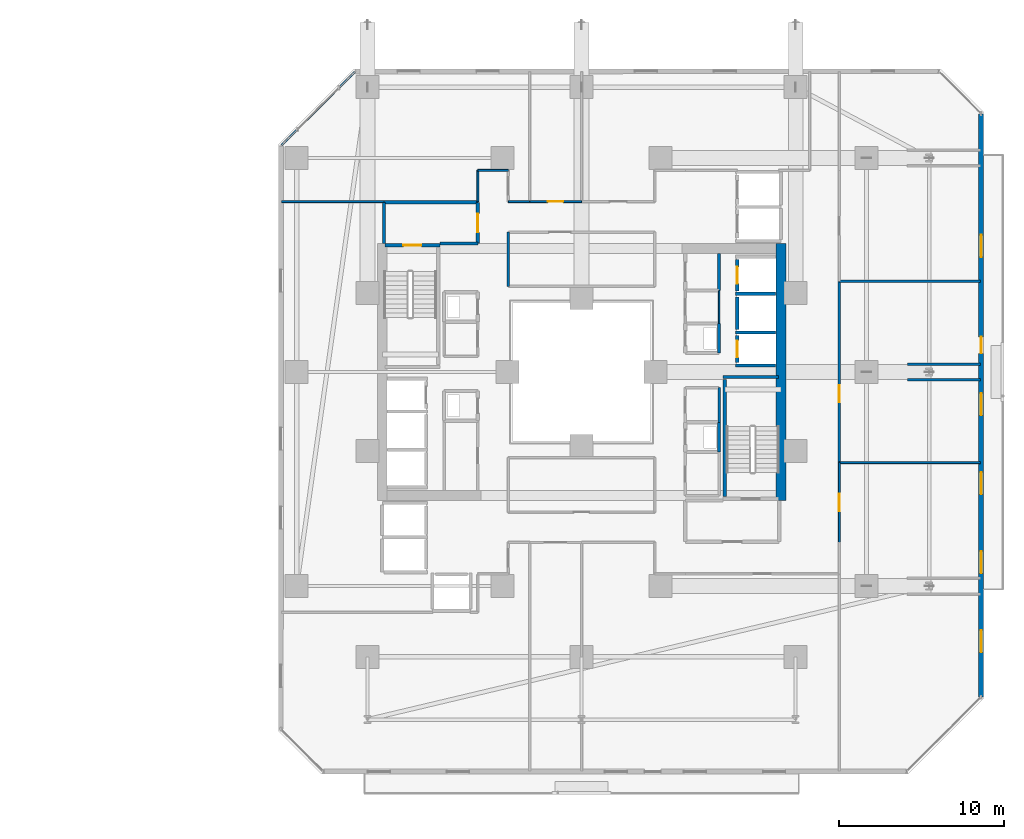
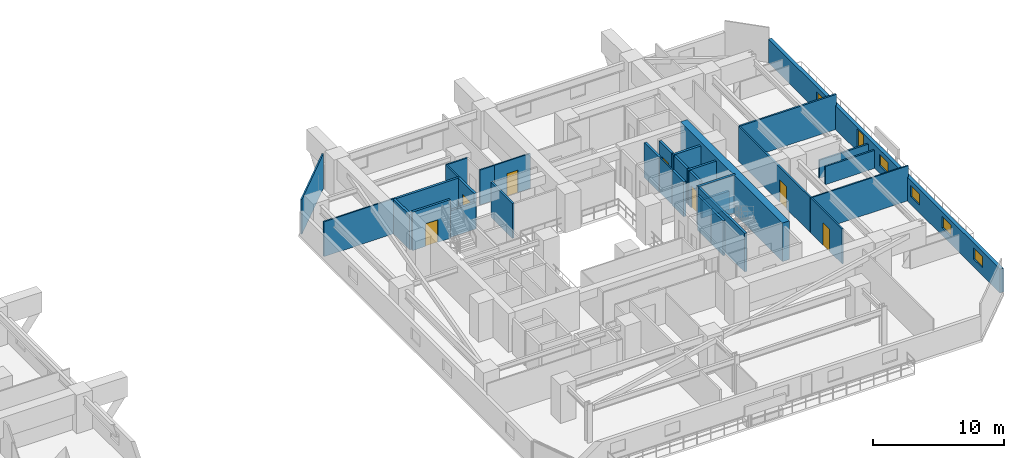
# One storey, part 27 of 36: 33 walls, 8 doors, 5 windows, 13 openings.
"""IFC4 building model written with IfcOpenShell, lengths in metres."""

from ifc_helpers import new_model, si_unit, direction, frame, frame_2d, origin, place, context, subcontext, project, spatial, rectangle, extrude, material, layer, layer_set, type_object, element, fill, save


model = new_model("IFC4")

# Units and contexts
model_context = context("Model", 3, precision=1e-05, world=origin(), true_north=direction((0.0, 1.0)))
body_context = subcontext(model_context, "Body", "Model", "MODEL_VIEW")
ifc_project = project(units=[si_unit("LENGTHUNIT", "METRE"), si_unit("AREAUNIT", "SQUARE_METRE"), si_unit("VOLUMEUNIT", "CUBIC_METRE"), si_unit("PLANEANGLEUNIT", "RADIAN"), si_unit("MASSUNIT", "GRAM", prefix="KILO")], contexts=[model_context])

# Site, building, storey
site_placement = place(None, origin())
site = spatial("IfcSite", under=ifc_project, at=site_placement, CompositionType="ELEMENT")
building_placement = place(site_placement, origin())
building = spatial("IfcBuilding", under=site, at=building_placement, Name="Thornwick Lancets Civic Towers", CompositionType="ELEMENT")
storey_placement = place(building_placement, frame((0.0, 0.0, 45.89990234375)))
storey = spatial("IfcBuildingStorey", under=building, at=storey_placement, Name="L11", CompositionType="ELEMENT", Elevation=45.89990234375)

# Wall, opening, door
ifc_material_1 = material(Name="Concrete blockwork C40/50", Category="masonry")
ifc_layer_1 = layer(ifc_material_1, 0.199951171875, Name="Concrete blockwork C40/50")
ifc_layer_set_1 = layer_set([ifc_layer_1], Name="Concrete blockwork C40/50")
wall_type_1 = type_object("IfcWallType", Name="WALL_COMP_200", PredefinedType="STANDARD", material=ifc_layer_set_1)
wall_1_placement = place(storey_placement, frame((97.949951171875, 29.219970703125, 0.0), z_axis=(0.0, 0.0, 1.0), x_axis=(0.0, -1.0, 0.0)))
wall_1 = element("IfcWall", 1, at=wall_1_placement, inside=storey, type_object=wall_type_1, Name="L11 Hoistway Front Wall FL-B1", PredefinedType="STANDARD", context=body_context, shape_type="SweptSolid", body=[
    extrude(rectangle(XDim=1.639892578125, YDim=0.199951171875, at=frame_2d((0.81982421875, 0.0))), origin(), (0.0, 0.0, 1.0), 3.260009765625),
])
opening_1_placement = place(wall_1_placement, frame((0.31005859375, 0.0, 0.0)))
opening_1 = element("IfcOpeningElement", 2, at=opening_1_placement, cuts=wall_1, Name="Opening LD-FL-B1", PredefinedType="OPENING", context=body_context, shape_type="SweptSolid", body=[
    extrude(rectangle(XDim=1.02001953125, YDim=2.06005859375, at=frame_2d((0.510009765625, 1.030029296875))), frame((0.0, 0.10986328125, 0.0), z_axis=(0.0, -1.0, 0.0), x_axis=(1.0, 0.0, 0.0)), (0.0, 0.0, 1.0), 0.219970703125),
])
ifc_material_2 = material(Name="Brushed bronze stainless steel", Category="steel")
door_type_1 = type_object("IfcDoorType", Name="DOOR_LIFT_SLIDE", OperationType="SLIDING_TO_LEFT", PredefinedType="DOOR", material=ifc_material_2)
door_1_placement = place(opening_1_placement, origin())
door_1 = element("IfcDoor", 3, at=door_1_placement, inside=storey, type_object=door_type_1, Name="L11 Sliding Lift Landing Door LD-FL-B1", OperationType="SLIDING_TO_LEFT", OverallHeight=2.06005859375, OverallWidth=1.02001953125, PredefinedType="DOOR", context=body_context, shape_type="SweptSolid", body=[
    extrude(rectangle(XDim=1.02001953125, YDim=2.06005859375, at=frame_2d((0.510009765625, 1.030029296875))), frame((0.0, 0.02490234375, 0.0), z_axis=(0.0, -1.0, 0.0), x_axis=(1.0, 0.0, 0.0)), (0.0, 0.0, 1.0), 0.050048828125),
])
fill(opening_1, door_1)

# Wall
wall_2_placement = place(storey_placement, frame((97.949951171875, 31.570068359375, 0.0), z_axis=(0.0, 0.0, 1.0), x_axis=(0.0, -1.0, 0.0)))
element("IfcWall", 4, at=wall_2_placement, inside=storey, type_object=wall_type_1, Name="L11 Hoistway Front Wall PL-BH1", PredefinedType="STANDARD", context=body_context, shape_type="SweptSolid", body=[
    extrude(rectangle(XDim=1.989990234375, YDim=0.199951171875, at=frame_2d((0.9951171875, 0.0))), origin(), (0.0, 0.0, 1.0), 3.260009765625),
])

# Wall, opening, door
wall_3_placement = place(storey_placement, frame((97.949951171875, 33.820068359375, 0.0), z_axis=(0.0, 0.0, 1.0), x_axis=(0.0, -1.0, 0.0)))
wall_3 = element("IfcWall", 5, at=wall_3_placement, inside=storey, type_object=wall_type_1, Name="L11 Hoistway Front Wall PL-BL1", PredefinedType="STANDARD", context=body_context, shape_type="SweptSolid", body=[
    extrude(rectangle(XDim=1.89013671875, YDim=0.199951171875, at=frame_2d((0.945068359375, 0.0))), origin(), (0.0, 0.0, 1.0), 3.260009765625),
])
opening_2_placement = place(wall_3_placement, frame((0.43505859375, 0.0, 0.0)))
opening_2 = element("IfcOpeningElement", 6, at=opening_2_placement, cuts=wall_3, Name="Opening LD-PL-BL1", PredefinedType="OPENING", context=body_context, shape_type="SweptSolid", body=[
    extrude(rectangle(XDim=1.02001953125, YDim=2.06005859375, at=frame_2d((0.510009765625, 1.030029296875))), frame((0.0, 0.10986328125, 0.0), z_axis=(0.0, -1.0, 0.0), x_axis=(1.0, 0.0, 0.0)), (0.0, 0.0, 1.0), 0.219970703125),
])
door_2_placement = place(opening_2_placement, origin())
door_2 = element("IfcDoor", 7, at=door_2_placement, inside=storey, type_object=door_type_1, Name="L11 Sliding Lift Landing Door LD-PL-BL1", OperationType="SLIDING_TO_LEFT", OverallHeight=2.06005859375, OverallWidth=1.02001953125, PredefinedType="DOOR", context=body_context, shape_type="SweptSolid", body=[
    extrude(rectangle(XDim=1.02001953125, YDim=2.06005859375, at=frame_2d((0.510009765625, 1.030029296875))), frame((0.0, 0.02490234375, 0.0), z_axis=(0.0, -1.0, 0.0), x_axis=(1.0, 0.0, 0.0)), (0.0, 0.0, 1.0), 0.050048828125),
])
fill(opening_2, door_2)

# Walls
wall_4_placement = place(storey_placement, frame((97.85205078125, 29.39990234375, 0.0), z_axis=(0.0, 0.0, 1.0), x_axis=(1.0, 0.0, 0.0)))
element("IfcWall", 8, at=wall_4_placement, inside=storey, type_object=wall_type_1, Name="L11 Hoistway Shaft Wall FL-B1 N", PredefinedType="STANDARD", context=body_context, shape_type="SweptSolid", body=[
    extrude(rectangle(XDim=2.43603515625, YDim=0.199951171875, at=frame_2d((1.218017578125, 0.0))), origin(), (0.0, 0.0, 1.0), 3.260009765625),
])
wall_5_placement = place(storey_placement, frame((97.85205078125, 27.39990234375, 0.0), z_axis=(0.0, 0.0, 1.0), x_axis=(1.0, 0.0, 0.0)))
element("IfcWall", 9, at=wall_5_placement, inside=storey, type_object=wall_type_1, Name="L11 Hoistway Shaft Wall FL-B1 S", PredefinedType="STANDARD", context=body_context, shape_type="SweptSolid", body=[
    extrude(rectangle(XDim=2.43603515625, YDim=0.199951171875, at=frame_2d((1.218017578125, 0.0))), origin(), (0.0, 0.0, 1.0), 1.68505859375),
])
wall_6_placement = place(storey_placement, frame((97.85205078125, 31.75, 0.0), z_axis=(0.0, 0.0, 1.0), x_axis=(1.0, 0.0, 0.0)))
element("IfcWall", 10, at=wall_6_placement, inside=storey, type_object=wall_type_1, Name="L11 Hoistway Shaft Wall PL-BH1 N", PredefinedType="STANDARD", context=body_context, shape_type="SweptSolid", body=[
    extrude(rectangle(XDim=2.43603515625, YDim=0.199951171875, at=frame_2d((1.218017578125, 0.0))), origin(), (0.0, 0.0, 1.0), 3.260009765625),
])
wall_7_placement = place(storey_placement, frame((79.89990234375, 34.800048828125, 0.0), z_axis=(0.0, 0.0, 1.0), x_axis=(1.0, 0.0, 0.0)))
element("IfcWall", 11, at=wall_7_placement, inside=storey, type_object=wall_type_1, Name="L11 Partition L11-B-FFLOB2 E1", PredefinedType="STANDARD", context=body_context, shape_type="SweptSolid", body=[
    extrude(rectangle(XDim=2.300048828125, YDim=0.199951171875, at=frame_2d((1.14990234375, 0.0))), origin(), (0.0, 0.0, 1.0), 2.465087890625),
])

# Wall, opening, door
wall_8_placement = place(storey_placement, frame((82.199951171875, 34.800048828125, 0.0), z_axis=(0.0, 0.0, 1.0), x_axis=(0.0, 1.0, 0.0)))
wall_8 = element("IfcWall", 12, at=wall_8_placement, inside=storey, type_object=wall_type_1, Name="L11 Partition L11-B-FFLOB2 E2", PredefinedType="STANDARD", context=body_context, shape_type="SweptSolid", body=[
    extrude(rectangle(XDim=2.5, YDim=0.199951171875, at=frame_2d((1.25, 0.0))), origin(), (0.0, 0.0, 1.0), 3.260009765625),
])
opening_3_placement = place(wall_8_placement, frame((0.675048828125, 0.0, 0.0)))
opening_3 = element("IfcOpeningElement", 13, at=opening_3_placement, cuts=wall_8, Name="Opening D-L11-0550", PredefinedType="OPENING", context=body_context, shape_type="SweptSolid", body=[
    extrude(rectangle(XDim=1.14990234375, YDim=2.10009765625, at=frame_2d((0.574951171875, 1.050048828125))), frame((0.0, 0.10986328125, 0.0), z_axis=(0.0, -1.0, 0.0), x_axis=(1.0, 0.0, 0.0)), (0.0, 0.0, 1.0), 0.219970703125),
])
ifc_material_3 = material(Name="Glazed fire-resisting steel", Category="steel")
door_type_2 = type_object("IfcDoorType", Name="DOOR_LOBBY_FD60", OperationType="NOTDEFINED", PredefinedType="DOOR", material=ifc_material_3)
door_3_placement = place(opening_3_placement, origin())
door_3 = element("IfcDoor", 14, at=door_3_placement, inside=storey, type_object=door_type_2, Name="L11 West Firefighting Lobby 2 Door", OperationType="SINGLE_SWING_LEFT", OverallHeight=2.10009765625, OverallWidth=1.14990234375, PredefinedType="DOOR", context=body_context, shape_type="SweptSolid", body=[
    extrude(rectangle(XDim=1.14990234375, YDim=2.10009765625, at=frame_2d((0.574951171875, 1.050048828125))), frame((0.0, 0.02490234375, 0.0), z_axis=(0.0, -1.0, 0.0), x_axis=(1.0, 0.0, 0.0)), (0.0, 0.0, 1.0), 0.050048828125),
])
fill(opening_3, door_3)

# Walls
wall_9_placement = place(storey_placement, frame((82.199951171875, 37.300048828125, 0.0), z_axis=(0.0, 0.0, 1.0), x_axis=(-1.0, 0.0, 0.0)))
element("IfcWall", 15, at=wall_9_placement, inside=storey, type_object=wall_type_1, Name="L11 Partition L11-B-FFLOB2 E3", PredefinedType="STANDARD", context=body_context, shape_type="SweptSolid", body=[
    extrude(rectangle(XDim=5.699951171875, YDim=0.199951171875, at=frame_2d((2.85009765625, 0.0))), origin(), (0.0, 0.0, 1.0), 3.260009765625),
])
wall_10_placement = place(storey_placement, frame((76.5, 37.300048828125, 0.0), z_axis=(0.0, 0.0, 1.0), x_axis=(0.0, -1.0, 0.0)))
element("IfcWall", 16, at=wall_10_placement, inside=storey, type_object=wall_type_1, Name="L11 Partition L11-B-FFLOB2 E4", PredefinedType="STANDARD", context=body_context, shape_type="SweptSolid", body=[
    extrude(rectangle(XDim=2.5, YDim=0.199951171875, at=frame_2d((1.25, 0.0))), origin(), (0.0, 0.0, 1.0), 3.260009765625),
])
for number, where, z_axis, x_axis, name in (
    (17, (96.85009765625, 28.14990234375, 0.0), (0.0, 0.0, 1.0), (0.0, 1.0, 0.0), "L11 Partition L11-B-DUCT1 E2"),
    (18, (96.85009765625, 22.14990234375, 0.0), (0.0, 0.0, 1.0), (0.0, 1.0, 0.0), "L11 Partition L11-B-RISER1 E2"),
):
    element("IfcWall", number, at=place(storey_placement, frame(where, z_axis=z_axis, x_axis=x_axis)), inside=storey, type_object=wall_type_1, Name=name, PredefinedType="STANDARD", context=body_context, shape_type="SweptSolid", body=[
        extrude(rectangle(XDim=1.800048828125, YDim=0.199951171875, at=frame_2d((0.89990234375, 0.0))), origin(), (0.0, 0.0, 1.0), 3.260009765625),
    ])
wall_11_placement = place(storey_placement, frame((96.85009765625, 34.199951171875, 0.0), z_axis=(0.0, 0.0, 1.0), x_axis=(0.0, -1.0, 0.0)))
element("IfcWall", 19, at=wall_11_placement, inside=storey, type_object=wall_type_1, Name="L11 Partition L11-B-ITR2 E3", PredefinedType="STANDARD", context=body_context, shape_type="SweptSolid", body=[
    extrude(rectangle(XDim=2.25, YDim=0.199951171875, at=frame_2d((1.125, 0.0))), origin(), (0.0, 0.0, 1.0), 3.260009765625),
])
ifc_material_4 = material(Name="Concrete C60/75", Category="concrete")
ifc_layer_2 = layer(ifc_material_4, 0.60009765625, Name="Concrete C60/75")
ifc_layer_set_2 = layer_set([ifc_layer_2], Name="Concrete C60/75")
wall_type_2 = type_object("IfcWallType", Name="WALL_CORE_600", PredefinedType="SHEAR", material=ifc_layer_set_2)
wall_12_placement = place(storey_placement, frame((100.60009765625, 19.199951171875, 0.0), z_axis=(0.0, 0.0, 1.0), x_axis=(0.0, 1.0, 0.0)))
element("IfcWall", 20, at=wall_12_placement, inside=storey, type_object=wall_type_2, Name="L11 Split Core B1 Shear Wall E", PredefinedType="SHEAR", context=body_context, shape_type="SweptSolid", body=[
    extrude(rectangle(XDim=15.60009765625, YDim=0.60009765625, at=frame_2d((7.800048828125, 0.0))), origin(), (0.0, 0.0, 1.0), 3.60009765625),
])

# Wall, openings, door, windows
ifc_material_5 = material(Name="Insulated russet terracotta rainscreen on concrete C40/50", Category="masonry")
ifc_layer_3 = layer(ifc_material_5, 0.300048828125, Name="Insulated russet terracotta rainscreen on concrete C40/50")
ifc_layer_set_3 = layer_set([ifc_layer_3], Name="Insulated russet terracotta rainscreen on concrete C40/50")
wall_type_3 = type_object("IfcWallType", Name="WALL_EXT_RUSSET_300", PredefinedType="STANDARD", material=ifc_layer_set_3)
wall_13_placement = place(storey_placement, frame((112.758544921875, 7.275390625, 0.0), z_axis=(0.0, 0.0, 1.0), x_axis=(0.00017928314, 0.999999983929, 0.0)))
wall_13 = element("IfcWall", 21, at=wall_13_placement, inside=storey, type_object=wall_type_3, Name="L11 Tower B Terracotta Facade Wall E2", PredefinedType="STANDARD", context=body_context, shape_type="SweptSolid", body=[
    extrude(rectangle(XDim=35.40576171875, YDim=0.300048828125, at=frame_2d((17.702880859375, 0.0))), origin(), (0.0, 0.0, 1.0), 2.22021484375),
])
opening_4_placement = place(wall_13_placement, frame((20.85302734375, 0.0, 0.0)))
opening_4 = element("IfcOpeningElement", 22, at=opening_4_placement, cuts=wall_13, Name="Opening D-BL-L11-BE", PredefinedType="OPENING", context=body_context, shape_type="SweptSolid", body=[
    extrude(rectangle(XDim=1.0, YDim=2.080078125, at=frame_2d((0.5, 1.0400390625))), frame((0.0, 0.16015625, 0.0), z_axis=(0.0, -1.0, 0.0), x_axis=(1.0, 0.0, 0.0)), (0.0, 0.0, 1.0), 0.320068359375),
])
opening_5_placement = place(wall_13_placement, frame((2.699951171875, 0.0, 0.719970703125)))
opening_5 = element("IfcOpeningElement", 23, at=opening_5_placement, cuts=wall_13, Name="Opening WL-03", PredefinedType="OPENING", context=body_context, shape_type="SweptSolid", body=[
    extrude(rectangle(XDim=1.35009765625, YDim=1.050048828125, at=frame_2d((0.675048828125, 0.52490234375))), frame((0.0, 0.16015625, 0.0), z_axis=(0.0, -1.0, 0.0), x_axis=(1.0, 0.0, 0.0)), (0.0, 0.0, 1.0), 0.320068359375),
])
opening_6_placement = place(wall_13_placement, frame((7.5, 0.0, 0.719970703125)))
opening_6 = element("IfcOpeningElement", 24, at=opening_6_placement, cuts=wall_13, Name="Opening WL-03", PredefinedType="OPENING", context=body_context, shape_type="SweptSolid", body=[
    extrude(rectangle(XDim=1.35009765625, YDim=1.050048828125, at=frame_2d((0.675048828125, 0.52490234375))), frame((0.0, 0.16015625, 0.0), z_axis=(0.0, -1.0, 0.0), x_axis=(1.0, 0.0, 0.0)), (0.0, 0.0, 1.0), 0.320068359375),
])
opening_7_placement = place(wall_13_placement, frame((12.300048828125, 0.0, 0.719970703125)))
opening_7 = element("IfcOpeningElement", 25, at=opening_7_placement, cuts=wall_13, Name="Opening WL-03", PredefinedType="OPENING", context=body_context, shape_type="SweptSolid", body=[
    extrude(rectangle(XDim=1.35009765625, YDim=1.050048828125, at=frame_2d((0.675048828125, 0.52490234375))), frame((0.0, 0.16015625, 0.0), z_axis=(0.0, -1.0, 0.0), x_axis=(1.0, 0.0, 0.0)), (0.0, 0.0, 1.0), 0.320068359375),
])
opening_8_placement = place(wall_13_placement, frame((17.10009765625, 0.0, 0.719970703125)))
opening_8 = element("IfcOpeningElement", 26, at=opening_8_placement, cuts=wall_13, Name="Opening WL-03", PredefinedType="OPENING", context=body_context, shape_type="SweptSolid", body=[
    extrude(rectangle(XDim=1.35009765625, YDim=1.050048828125, at=frame_2d((0.675048828125, 0.52490234375))), frame((0.0, 0.16015625, 0.0), z_axis=(0.0, -1.0, 0.0), x_axis=(1.0, 0.0, 0.0)), (0.0, 0.0, 1.0), 0.320068359375),
])
opening_9_placement = place(wall_13_placement, frame((26.699951171875, 0.0, 0.719970703125)))
opening_9 = element("IfcOpeningElement", 27, at=opening_9_placement, cuts=wall_13, Name="Opening WL-03", PredefinedType="OPENING", context=body_context, shape_type="SweptSolid", body=[
    extrude(rectangle(XDim=1.35009765625, YDim=1.050048828125, at=frame_2d((0.675048828125, 0.52490234375))), frame((0.0, 0.16015625, 0.0), z_axis=(0.0, -1.0, 0.0), x_axis=(1.0, 0.0, 0.0)), (0.0, 0.0, 1.0), 0.320068359375),
])
ifc_material_6 = material(Name="Thermally broken glazed loggia doorset")
door_type_3 = type_object("IfcDoorType", Name="DOOR_BALC_1000", OperationType="NOTDEFINED", PredefinedType="DOOR", material=ifc_material_6)
door_4_placement = place(opening_4_placement, origin())
door_4 = element("IfcDoor", 28, at=door_4_placement, inside=storey, type_object=door_type_3, Name="L11 Tower B Loggia Balcony Door E", OperationType="SINGLE_SWING_RIGHT", OverallHeight=2.080078125, OverallWidth=1.0, PredefinedType="DOOR", context=body_context, shape_type="SweptSolid", body=[
    extrude(rectangle(XDim=1.0, YDim=2.080078125, at=frame_2d((0.5, 1.0400390625))), frame((0.0, 0.02490234375, 0.0), z_axis=(0.0, -1.0, 0.0), x_axis=(1.0, 0.0, 0.0)), (0.0, 0.0, 1.0), 0.050048828125),
])
fill(opening_4, door_4)
ifc_material_7 = material(Name="Clear low-e double glazing clerestory lancet", Category="glass")
window_type = type_object("IfcWindowType", Name="WIN_LANCET_1350", PartitioningType="SINGLE_PANEL", PredefinedType="WINDOW", material=ifc_material_7)
window_1_placement = place(opening_5_placement, origin())
window_1 = element("IfcWindow", 29, at=window_1_placement, inside=storey, type_object=window_type, Name="L11 Tower B Staggered Lancet Window E2-1", OverallHeight=1.050048828125, OverallWidth=1.35009765625, PartitioningType="SINGLE_PANEL", PredefinedType="WINDOW", context=body_context, shape_type="SweptSolid", body=[
    extrude(rectangle(XDim=1.35009765625, YDim=1.050048828125, at=frame_2d((0.675048828125, 0.52490234375))), frame((0.0, 0.030029296875, 0.0), z_axis=(0.0, -1.0, 0.0), x_axis=(1.0, 0.0, 0.0)), (0.0, 0.0, 1.0), 0.06005859375),
])
fill(opening_5, window_1)
window_2_placement = place(opening_6_placement, origin())
window_2 = element("IfcWindow", 30, at=window_2_placement, inside=storey, type_object=window_type, Name="L11 Tower B Staggered Lancet Window E2-2", OverallHeight=1.050048828125, OverallWidth=1.35009765625, PartitioningType="SINGLE_PANEL", PredefinedType="WINDOW", context=body_context, shape_type="SweptSolid", body=[
    extrude(rectangle(XDim=1.35009765625, YDim=1.050048828125, at=frame_2d((0.675048828125, 0.52490234375))), frame((0.0, 0.030029296875, 0.0), z_axis=(0.0, -1.0, 0.0), x_axis=(1.0, 0.0, 0.0)), (0.0, 0.0, 1.0), 0.06005859375),
])
fill(opening_6, window_2)
window_3_placement = place(opening_7_placement, origin())
window_3 = element("IfcWindow", 31, at=window_3_placement, inside=storey, type_object=window_type, Name="L11 Tower B Staggered Lancet Window E2-3", OverallHeight=1.050048828125, OverallWidth=1.35009765625, PartitioningType="SINGLE_PANEL", PredefinedType="WINDOW", context=body_context, shape_type="SweptSolid", body=[
    extrude(rectangle(XDim=1.35009765625, YDim=1.050048828125, at=frame_2d((0.675048828125, 0.52490234375))), frame((0.0, 0.030029296875, 0.0), z_axis=(0.0, -1.0, 0.0), x_axis=(1.0, 0.0, 0.0)), (0.0, 0.0, 1.0), 0.06005859375),
])
fill(opening_7, window_3)
window_4_placement = place(opening_8_placement, origin())
window_4 = element("IfcWindow", 32, at=window_4_placement, inside=storey, type_object=window_type, Name="L11 Tower B Staggered Lancet Window E2-4", OverallHeight=1.050048828125, OverallWidth=1.35009765625, PartitioningType="SINGLE_PANEL", PredefinedType="WINDOW", context=body_context, shape_type="SweptSolid", body=[
    extrude(rectangle(XDim=1.35009765625, YDim=1.050048828125, at=frame_2d((0.675048828125, 0.52490234375))), frame((0.0, 0.030029296875, 0.0), z_axis=(0.0, -1.0, 0.0), x_axis=(1.0, 0.0, 0.0)), (0.0, 0.0, 1.0), 0.06005859375),
])
fill(opening_8, window_4)
window_5_placement = place(opening_9_placement, origin())
window_5 = element("IfcWindow", 33, at=window_5_placement, inside=storey, type_object=window_type, Name="L11 Tower B Staggered Lancet Window E2-5", OverallHeight=1.050048828125, OverallWidth=1.35009765625, PartitioningType="SINGLE_PANEL", PredefinedType="WINDOW", context=body_context, shape_type="SweptSolid", body=[
    extrude(rectangle(XDim=1.35009765625, YDim=1.050048828125, at=frame_2d((0.675048828125, 0.52490234375))), frame((0.0, 0.030029296875, 0.0), z_axis=(0.0, -1.0, 0.0), x_axis=(1.0, 0.0, 0.0)), (0.0, 0.0, 1.0), 0.06005859375),
])
fill(opening_9, window_5)

# Wall
ifc_material_8 = material(Name="Lightweight cellular office partition")
ifc_layer_4 = layer(ifc_material_8, 0.10009765625, Name="Lightweight cellular office partition")
ifc_layer_set_4 = layer_set([ifc_layer_4], Name="Lightweight cellular office partition")
wall_type_4 = type_object("IfcWallType", Name="WALL_PART_100", PredefinedType="PARTITIONING", material=ifc_layer_set_4)
wall_14_placement = place(storey_placement, frame((96.85009765625, 31.949951171875, 0.0), z_axis=(0.0, 0.0, 1.0), x_axis=(0.0, -1.0, 0.0)))
element("IfcWall", 34, at=wall_14_placement, inside=storey, type_object=wall_type_4, Name="L11 Partition L11-B-CLN E3", PredefinedType="PARTITIONING", context=body_context, shape_type="SweptSolid", body=[
    extrude(rectangle(XDim=2.0, YDim=0.10009765625, at=frame_2d((1.0, 0.0))), origin(), (0.0, 0.0, 1.0), 3.260009765625),
])

# Wall, opening, door
ifc_material_9 = material(Name="Acoustic gypsum board partition")
ifc_layer_5 = layer(ifc_material_9, 0.1201171875, Name="Acoustic gypsum board partition")
ifc_layer_set_5 = layer_set([ifc_layer_5], Name="Acoustic gypsum board partition")
wall_type_5 = type_object("IfcWallType", Name="WALL_PART_120", PredefinedType="PARTITIONING", material=ifc_layer_set_5)
wall_15_placement = place(storey_placement, frame((88.5, 37.35009765625, 0.0), z_axis=(0.0, 0.0, 1.0), x_axis=(-1.0, 0.0, 0.0)))
wall_15 = element("IfcWall", 35, at=wall_15_placement, inside=storey, type_object=wall_type_5, Name="L11 Partition L11-B-E2 E4", PredefinedType="PARTITIONING", context=body_context, shape_type="SweptSolid", body=[
    extrude(rectangle(XDim=3.14990234375, YDim=0.1201171875, at=frame_2d((1.574951171875, 0.0))), origin(), (0.0, 0.0, 1.0), 3.260009765625),
])
opening_10_placement = place(wall_15_placement, frame((1.10009765625, 0.0, 0.0)))
opening_10 = element("IfcOpeningElement", 36, at=opening_10_placement, cuts=wall_15, Name="Opening D-L11-0576", PredefinedType="OPENING", context=body_context, shape_type="SweptSolid", body=[
    extrude(rectangle(XDim=0.949951171875, YDim=2.10009765625, at=frame_2d((0.47509765625, 1.050048828125))), frame((0.0, 0.070068359375, 0.0), z_axis=(0.0, -1.0, 0.0), x_axis=(1.0, 0.0, 0.0)), (0.0, 0.0, 1.0), 0.14013671875),
])
ifc_material_10 = material(Name="European oak acoustic doorset")
door_type_4 = type_object("IfcDoorType", Name="DOOR_OFFICE_950", OperationType="NOTDEFINED", PredefinedType="DOOR", material=ifc_material_10)
door_5_placement = place(opening_10_placement, origin())
door_5 = element("IfcDoor", 37, at=door_5_placement, inside=storey, type_object=door_type_4, Name="L11 Tower B Visitors Reception and Waiting Door", OperationType="SINGLE_SWING_LEFT", OverallHeight=2.10009765625, OverallWidth=0.949951171875, PredefinedType="DOOR", context=body_context, shape_type="SweptSolid", body=[
    extrude(rectangle(XDim=0.949951171875, YDim=2.10009765625, at=frame_2d((0.47509765625, 1.050048828125))), frame((0.0, 0.02490234375, 0.0), z_axis=(0.0, -1.0, 0.0), x_axis=(1.0, 0.0, 0.0)), (0.0, 0.0, 1.0), 0.050048828125),
])
fill(opening_10, door_5)

# Walls
wall_16_placement = place(storey_placement, frame((84.050048828125, 39.25, 0.0), z_axis=(0.0, 0.0, 1.0), x_axis=(-1.0, 0.0, 0.0)))
element("IfcWall", 38, at=wall_16_placement, inside=storey, type_object=wall_type_5, Name="L11 Partition L11-B-E3 E2", PredefinedType="PARTITIONING", context=body_context, shape_type="SweptSolid", body=[
    extrude(rectangle(XDim=1.85009765625, YDim=0.1201171875, at=frame_2d((0.925048828125, 0.0))), origin(), (0.0, 0.0, 1.0), 3.260009765625),
])
wall_17_placement = place(storey_placement, frame((82.199951171875, 39.25, 0.0), z_axis=(0.0, 0.0, 1.0), x_axis=(0.0, -1.0, 0.0)))
element("IfcWall", 39, at=wall_17_placement, inside=storey, type_object=wall_type_5, Name="L11 Partition L11-B-E3 E3", PredefinedType="PARTITIONING", context=body_context, shape_type="SweptSolid", body=[
    extrude(rectangle(XDim=1.89990234375, YDim=0.1201171875, at=frame_2d((0.949951171875, 0.0))), origin(), (0.0, 0.0, 1.0), 3.260009765625),
])
wall_18_placement = place(storey_placement, frame((76.5, 37.35009765625, 0.0), z_axis=(0.0, 0.0, 1.0), x_axis=(-1.0, 0.0, 0.0)))
element("IfcWall", 40, at=wall_18_placement, inside=storey, type_object=wall_type_5, Name="L11 Partition L11-B-E3 E4", PredefinedType="PARTITIONING", context=body_context, shape_type="SweptSolid", body=[
    extrude(rectangle(XDim=6.219970703125, YDim=0.1201171875, at=frame_2d((3.10986328125, 0.0))), origin(), (0.0, 0.0, 1.0), 3.260009765625),
])
wall_19_placement = place(storey_placement, frame((70.280029296875, 40.761474609375, 0.0), z_axis=(0.0, 0.0, 1.0), x_axis=(0.707106781187, 0.707106781187, 0.0)))
element("IfcWall", 41, at=wall_19_placement, inside=storey, type_object=wall_type_5, Name="L11 Partition L11-B-E3 E6", PredefinedType="PARTITIONING", context=body_context, shape_type="SweptSolid", body=[
    extrude(rectangle(XDim=6.30517578125, YDim=0.1201171875, at=frame_2d((3.152587890625, 0.0))), origin(), (0.0, 0.0, 1.0), 3.260009765625),
])
wall_20_placement = place(storey_placement, frame((85.35009765625, 37.35009765625, 0.0), z_axis=(0.0, 0.0, 1.0), x_axis=(-1.0, 0.0, 0.0)))
element("IfcWall", 42, at=wall_20_placement, inside=storey, type_object=wall_type_5, Name="L11 Partition L11-B-E3 E9", PredefinedType="PARTITIONING", context=body_context, shape_type="SweptSolid", body=[
    extrude(rectangle(XDim=1.300048828125, YDim=0.1201171875, at=frame_2d((0.64990234375, 0.0))), origin(), (0.0, 0.0, 1.0), 3.260009765625),
])

# Wall, opening, door
wall_21_placement = place(storey_placement, frame((104.14990234375, 16.64990234375, 0.0), z_axis=(0.0, 0.0, 1.0), x_axis=(0.0, 1.0, 0.0)))
wall_21 = element("IfcWall", 43, at=wall_21_placement, inside=storey, type_object=wall_type_5, Name="L11 Partition L11-B-S-OFF1 E4", PredefinedType="PARTITIONING", context=body_context, shape_type="SweptSolid", body=[
    extrude(rectangle(XDim=4.85009765625, YDim=0.1201171875, at=frame_2d((2.425048828125, 0.0))), origin(), (0.0, 0.0, 1.0), 3.260009765625),
])
opening_11_placement = place(wall_21_placement, frame((1.89990234375, 0.0, 0.0)))
opening_11 = element("IfcOpeningElement", 44, at=opening_11_placement, cuts=wall_21, Name="Opening D-L11-0580", PredefinedType="OPENING", context=body_context, shape_type="SweptSolid", body=[
    extrude(rectangle(XDim=1.050048828125, YDim=2.10009765625, at=frame_2d((0.52490234375, 1.050048828125))), frame((0.0, 0.070068359375, 0.0), z_axis=(0.0, -1.0, 0.0), x_axis=(1.0, 0.0, 0.0)), (0.0, 0.0, 1.0), 0.14013671875),
])
ifc_material_11 = material(Name="Glazed European oak executive doorset")
door_type_5 = type_object("IfcDoorType", Name="DOOR_OFFICE_1050", OperationType="NOTDEFINED", PredefinedType="DOOR", material=ifc_material_11)
door_6_placement = place(opening_11_placement, origin())
door_6 = element("IfcDoor", 45, at=door_6_placement, inside=storey, type_object=door_type_5, Name="L11 Tower B South-West Division Office Door", OperationType="SINGLE_SWING_LEFT", OverallHeight=2.10009765625, OverallWidth=1.050048828125, PredefinedType="DOOR", context=body_context, shape_type="SweptSolid", body=[
    extrude(rectangle(XDim=1.050048828125, YDim=2.10009765625, at=frame_2d((0.52490234375, 1.050048828125))), frame((0.0, 0.02490234375, 0.0), z_axis=(0.0, -1.0, 0.0), x_axis=(1.0, 0.0, 0.0)), (0.0, 0.0, 1.0), 0.050048828125),
])
fill(opening_11, door_6)

# Walls
wall_22_placement = place(storey_placement, frame((104.14990234375, 21.5, 0.0), z_axis=(0.0, 0.0, 1.0), x_axis=(1.0, 0.0, 0.0)))
element("IfcWall", 46, at=wall_22_placement, inside=storey, type_object=wall_type_5, Name="L11 Partition L11-B-S-OFF1 E5", PredefinedType="PARTITIONING", context=body_context, shape_type="SweptSolid", body=[
    extrude(rectangle(XDim=8.570068359375, YDim=0.1201171875, at=frame_2d((4.28515625, 0.0))), origin(), (0.0, 0.0, 1.0), 3.260009765625),
])
ifc_material_12 = material(Name="Twin-stud acoustic gypsum board")
ifc_layer_6 = layer(ifc_material_12, 0.14990234375, Name="Twin-stud acoustic gypsum board")
ifc_layer_set_6 = layer_set([ifc_layer_6], Name="Twin-stud acoustic gypsum board")
wall_type_6 = type_object("IfcWallType", Name="WALL_PART_150", PredefinedType="PARTITIONING", material=ifc_layer_set_6)
wall_23_placement = place(storey_placement, frame((96.85009765625, 26.050048828125, 0.0), z_axis=(0.0, 0.0, 1.0), x_axis=(0.0, -1.0, 0.0)))
element("IfcWall", 47, at=wall_23_placement, inside=storey, type_object=wall_type_6, Name="L11 Partition L11-B-AWC E3", PredefinedType="PARTITIONING", context=body_context, shape_type="SweptSolid", body=[
    extrude(rectangle(XDim=2.10009765625, YDim=0.14990234375, at=frame_2d((1.050048828125, 0.0))), origin(), (0.0, 0.0, 1.0), 3.260009765625),
])
wall_24_placement = place(storey_placement, frame((84.050048828125, 32.199951171875, 0.0), z_axis=(0.0, 0.0, 1.0), x_axis=(0.0, 1.0, 0.0)))
element("IfcWall", 48, at=wall_24_placement, inside=storey, type_object=wall_type_6, Name="L11 Partition L11-B-ATR-E E1", PredefinedType="PARTITIONING", context=body_context, shape_type="SweptSolid", body=[
    extrude(rectangle(XDim=3.300048828125, YDim=0.14990234375, at=frame_2d((1.64990234375, 0.0))), origin(), (0.0, 0.0, 1.0), 3.260009765625),
])

# Wall, opening, door
wall_25_placement = place(storey_placement, frame((104.14990234375, 21.5, 0.0), z_axis=(0.0, 0.0, 1.0), x_axis=(0.0, 1.0, 0.0)))
wall_25 = element("IfcWall", 49, at=wall_25_placement, inside=storey, type_object=wall_type_6, Name="L11 Partition L11-B-S-ARCH E1", PredefinedType="PARTITIONING", context=body_context, shape_type="SweptSolid", body=[
    extrude(rectangle(XDim=11.0, YDim=0.14990234375, at=frame_2d((5.5, 0.0))), origin(), (0.0, 0.0, 1.0), 3.260009765625),
])
opening_12_placement = place(wall_25_placement, frame((3.655029296875, 0.0, 0.0)))
opening_12 = element("IfcOpeningElement", 50, at=opening_12_placement, cuts=wall_25, Name="Opening D-L11-0581", PredefinedType="OPENING", context=body_context, shape_type="SweptSolid", body=[
    extrude(rectangle(XDim=1.050048828125, YDim=2.10009765625, at=frame_2d((0.52490234375, 1.050048828125))), frame((0.0, 0.0849609375, 0.0), z_axis=(0.0, -1.0, 0.0), x_axis=(1.0, 0.0, 0.0)), (0.0, 0.0, 1.0), 0.169921875),
])
door_7_placement = place(opening_12_placement, origin())
door_7 = element("IfcDoor", 51, at=door_7_placement, inside=storey, type_object=door_type_5, Name="L11 Tower B Registry and Records Archive Door", OperationType="SINGLE_SWING_RIGHT", OverallHeight=2.10009765625, OverallWidth=1.050048828125, PredefinedType="DOOR", context=body_context, shape_type="SweptSolid", body=[
    extrude(rectangle(XDim=1.050048828125, YDim=2.10009765625, at=frame_2d((0.52490234375, 1.050048828125))), frame((0.0, 0.02490234375, 0.0), z_axis=(0.0, -1.0, 0.0), x_axis=(1.0, 0.0, 0.0)), (0.0, 0.0, 1.0), 0.050048828125),
])
fill(opening_12, door_7)

# Walls
wall_26_placement = place(storey_placement, frame((104.14990234375, 32.5, 0.0), z_axis=(0.0, 0.0, 1.0), x_axis=(1.0, 0.0, 0.0)))
element("IfcWall", 52, at=wall_26_placement, inside=storey, type_object=wall_type_6, Name="L11 Partition L11-B-S-ARCH E2", PredefinedType="PARTITIONING", context=body_context, shape_type="SweptSolid", body=[
    extrude(rectangle(XDim=8.570068359375, YDim=0.14990234375, at=frame_2d((4.28515625, 0.0))), origin(), (0.0, 0.0, 1.0), 3.260009765625),
])
for number, where, z_axis, x_axis, name in (
    (53, (112.719970703125, 27.47998046875, 0.0), (0.0, 0.0, 1.0), (-1.0, 0.0, 0.0), "L11 Partition L11-B-S-ARCH E4"),
    (54, (108.281494140625, 26.52001953125, 0.0), (0.0, 0.0, 1.0), (1.0, 0.0, 0.0), "L11 Partition L11-B-S-ARCH E6"),
):
    element("IfcWall", number, at=place(storey_placement, frame(where, z_axis=z_axis, x_axis=x_axis)), inside=storey, type_object=wall_type_6, Name=name, PredefinedType="PARTITIONING", context=body_context, shape_type="SweptSolid", body=[
        extrude(rectangle(XDim=4.4384765625, YDim=0.14990234375, at=frame_2d((2.21923828125, 0.0))), origin(), (0.0, 0.0, 1.0), 1.68505859375),
    ])
ifc_material_13 = material(Name="Concrete C40/50", Category="concrete")
ifc_layer_7 = layer(ifc_material_13, 0.199951171875, Name="Concrete C40/50")
ifc_layer_set_7 = layer_set([ifc_layer_7], Name="Concrete C40/50")
wall_type_7 = type_object("IfcWallType", Name="WALL_SHAFT_200", PredefinedType="SHEAR", material=ifc_layer_set_7)
wall_27_placement = place(storey_placement, frame((97.10009765625, 26.699951171875, 0.0), z_axis=(0.0, 0.0, 1.0), x_axis=(1.0, 0.0, 0.0)))
element("IfcWall", 55, at=wall_27_placement, inside=storey, type_object=wall_type_7, Name="L11 ST-B1 Fire Stair Core Wall FAR", PredefinedType="SHEAR", context=body_context, shape_type="SweptSolid", body=[
    extrude(rectangle(XDim=3.349853515625, YDim=0.199951171875, at=frame_2d((1.6748046875, 0.0))), origin(), (0.0, 0.0, 1.0), 3.60009765625),
])
wall_28_placement = place(storey_placement, frame((97.202880859375, 26.550048828125, 0.0), z_axis=(0.0, 0.0, 1.0), x_axis=(0.0, -1.0, 0.0)))
element("IfcWall", 56, at=wall_28_placement, inside=storey, type_object=wall_type_7, Name="L11 ST-B1 Fire Stair Core Wall RIGHT", PredefinedType="SHEAR", context=body_context, shape_type="SweptSolid", body=[
    extrude(rectangle(XDim=7.10009765625, YDim=0.199951171875, at=frame_2d((3.550048828125, 0.0))), origin(), (0.0, 0.0, 1.0), 3.60009765625),
])

# Wall, opening, door
wall_29_placement = place(storey_placement, frame((76.550048828125, 34.699951171875, 0.0), z_axis=(0.0, 0.0, 1.0), x_axis=(1.0, 0.0, 0.0)))
wall_29 = element("IfcWall", 57, at=wall_29_placement, inside=storey, type_object=wall_type_7, Name="L11 ST-B2 Fire Stair Core Wall NEAR", PredefinedType="SHEAR", context=body_context, shape_type="SweptSolid", body=[
    extrude(rectangle(XDim=3.349853515625, YDim=0.199951171875, at=frame_2d((1.6748046875, 0.0))), origin(), (0.0, 0.0, 1.0), 3.60009765625),
])
opening_13_placement = place(wall_29_placement, frame((1.125, 0.0, 0.0)))
opening_13 = element("IfcOpeningElement", 58, at=opening_13_placement, cuts=wall_29, Name="Opening D-ST-B2-L11", PredefinedType="OPENING", context=body_context, shape_type="SweptSolid", body=[
    extrude(rectangle(XDim=1.10009765625, YDim=2.10009765625, at=frame_2d((0.550048828125, 1.050048828125))), frame((0.0, 0.10986328125, 0.0), z_axis=(0.0, -1.0, 0.0), x_axis=(1.0, 0.0, 0.0)), (0.0, 0.0, 1.0), 0.219970703125),
])
ifc_material_14 = material(Name="Fire-resisting steel and hardwood", Category="steel")
door_type_6 = type_object("IfcDoorType", Name="DOOR_STAIR_FD60", OperationType="NOTDEFINED", PredefinedType="DOOR", material=ifc_material_14)
door_8_placement = place(opening_13_placement, origin())
door_8 = element("IfcDoor", 59, at=door_8_placement, inside=storey, type_object=door_type_6, Name="L11 ST-B2 Exit Stair Door", OperationType="SINGLE_SWING_LEFT", OverallHeight=2.10009765625, OverallWidth=1.10009765625, PredefinedType="DOOR", context=body_context, shape_type="SweptSolid", body=[
    extrude(rectangle(XDim=1.10009765625, YDim=2.10009765625, at=frame_2d((0.550048828125, 1.050048828125))), frame((0.0, 0.02490234375, 0.0), z_axis=(0.0, -1.0, 0.0), x_axis=(1.0, 0.0, 0.0)), (0.0, 0.0, 1.0), 0.050048828125),
])
fill(opening_13, door_8)

save(model, "model.ifc")
